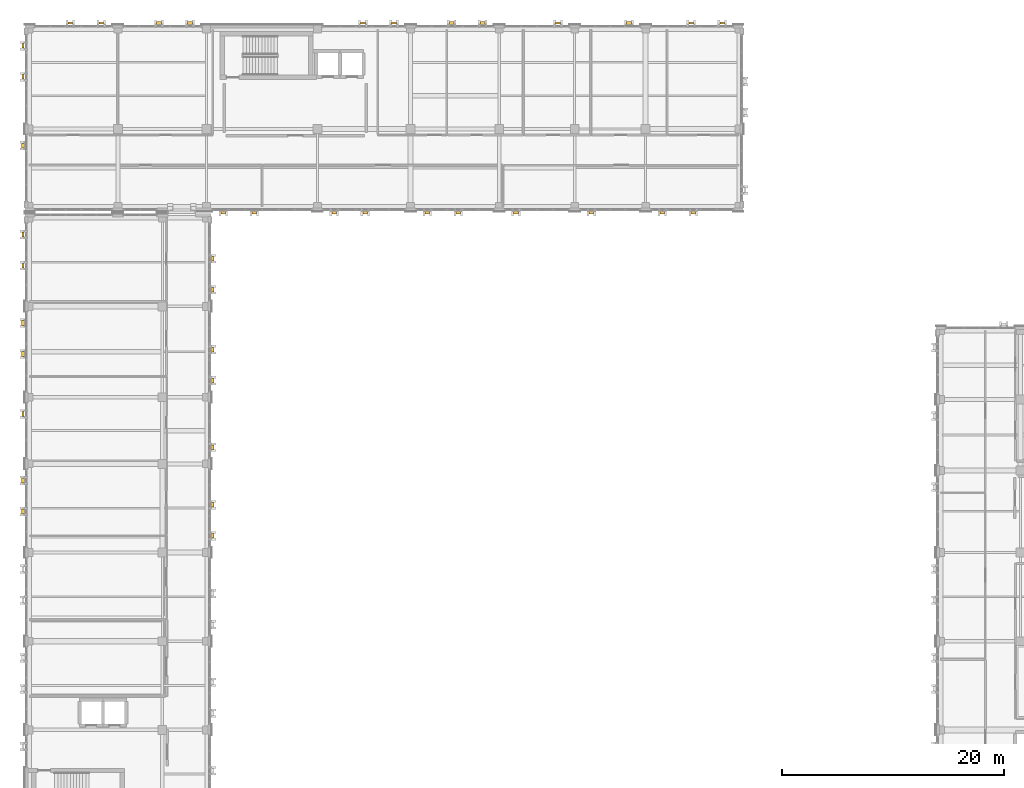
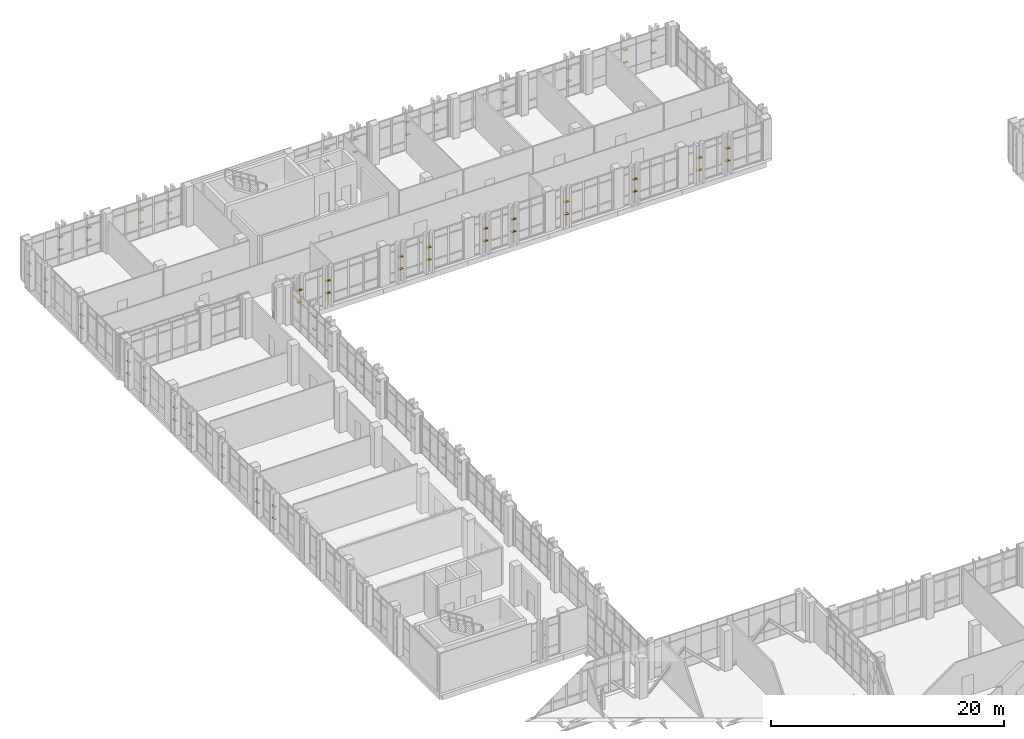
# One storey, part 164 of 165: 78 shading devices.
"""IFC4 building model written with IfcOpenShell, lengths in metres."""

from ifc_helpers import new_model, si_unit, direction, frame, origin, origin_2d, place, context, subcontext, project, spatial, rectangle, extrude, material, type_object, element, save


model = new_model("IFC4")

# Units and contexts
model_context = context("Model", 3, precision=1e-05, world=origin(), true_north=direction((0.0, 1.0)))
body_context = subcontext(model_context, "Body", "Model", "MODEL_VIEW")
ifc_project = project(units=[si_unit("LENGTHUNIT", "METRE"), si_unit("AREAUNIT", "SQUARE_METRE"), si_unit("VOLUMEUNIT", "CUBIC_METRE"), si_unit("PLANEANGLEUNIT", "RADIAN"), si_unit("MASSUNIT", "GRAM", prefix="KILO")], contexts=[model_context])

# Site, building, storey
site_placement = place(None, origin())
site = spatial("IfcSite", under=ifc_project, at=site_placement, CompositionType="ELEMENT")
building_placement = place(site_placement, origin())
building = spatial("IfcBuilding", under=site, at=building_placement, Name="Qalavern Law Courts", CompositionType="ELEMENT")
storey_placement = place(building_placement, frame((0.0, 0.0, 14.39990234375)))
storey = spatial("IfcBuildingStorey", under=building, at=storey_placement, Name="L03", CompositionType="ELEMENT", Elevation=14.39990234375)

# Shading devices
ifc_material = material(Name="Anodised aluminium", Category="aluminium")
shading_device_type_1 = type_object("IfcShadingDeviceType", Name="ENV-LOUV-1", PredefinedType="JALOUSIE", material=ifc_material)
for number, where, z_axis, x_axis, name in (
    (1, (18.96240234375, 74.89990234375, 1.342041015625), (0.0, 0.0, 1.0), (0.0, 1.0, 0.0), "Horizontal sun louvre V3-L03-0-1"),
    (2, (18.96240234375, 74.89990234375, 2.6357421875), (0.0, 0.0, 1.0), (0.0, 1.0, 0.0), "Horizontal sun louvre V3-L03-0-2"),
    (3, (18.96240234375, 89.10009765625, 1.342041015625), (0.0, 0.0, 1.0), (0.0, 1.0, 0.0), "Horizontal sun louvre V3-L03-0-1"),
    (4, (18.96240234375, 89.10009765625, 2.6357421875), (0.0, 0.0, 1.0), (0.0, 1.0, 0.0), "Horizontal sun louvre V3-L03-0-2"),
    (5, (18.96240234375, 91.89990234375, 1.342041015625), (0.0, 0.0, 1.0), (0.0, 1.0, 0.0), "Horizontal sun louvre V3-L03-1-1"),
    (6, (18.96240234375, 91.89990234375, 2.6357421875), (0.0, 0.0, 1.0), (0.0, 1.0, 0.0), "Horizontal sun louvre V3-L03-1-2"),
    (7, (1.83740234375, 94.080078125, 1.342041015625), (0.0, 0.0, 1.0), (0.0, -1.0, 0.0), "Horizontal sun louvre V3-L03-0-1"),
    (8, (1.83740234375, 94.080078125, 2.6357421875), (0.0, 0.0, 1.0), (0.0, -1.0, 0.0), "Horizontal sun louvre V3-L03-0-2"),
    (9, (1.83740234375, 91.280029296875, 1.342041015625), (0.0, 0.0, 1.0), (0.0, -1.0, 0.0), "Horizontal sun louvre V3-L03-1-1"),
    (10, (1.83740234375, 91.280029296875, 2.6357421875), (0.0, 0.0, 1.0), (0.0, -1.0, 0.0), "Horizontal sun louvre V3-L03-1-2"),
    (11, (1.83740234375, 77.89990234375, 1.342041015625), (0.0, 0.0, 1.0), (0.0, -1.0, 0.0), "Horizontal sun louvre V3-L03-0-1"),
    (12, (1.83740234375, 77.89990234375, 2.6357421875), (0.0, 0.0, 1.0), (0.0, -1.0, 0.0), "Horizontal sun louvre V3-L03-0-2"),
    (13, (19.89990234375, 96.03759765625, 1.342041015625), (0.0, 0.0, 1.0), (1.0, 0.0, 0.0), "Horizontal sun louvre V5-L03-0-1"),
    (14, (19.89990234375, 96.03759765625, 2.6357421875), (0.0, 0.0, 1.0), (1.0, 0.0, 0.0), "Horizontal sun louvre V5-L03-0-2"),
    (15, (22.699951171875, 96.03759765625, 1.342041015625), (0.0, 0.0, 1.0), (1.0, 0.0, 0.0), "Horizontal sun louvre V5-L03-1-1"),
    (16, (22.699951171875, 96.03759765625, 2.6357421875), (0.0, 0.0, 1.0), (1.0, 0.0, 0.0), "Horizontal sun louvre V5-L03-1-2"),
    (17, (38.300048828125, 96.03759765625, 1.342041015625), (0.0, 0.0, 1.0), (1.0, 0.0, 0.0), "Horizontal sun louvre V5-L03-0-1"),
    (18, (38.300048828125, 96.03759765625, 2.6357421875), (0.0, 0.0, 1.0), (1.0, 0.0, 0.0), "Horizontal sun louvre V5-L03-0-2"),
    (19, (41.10009765625, 96.03759765625, 1.342041015625), (0.0, 0.0, 1.0), (1.0, 0.0, 0.0), "Horizontal sun louvre V5-L03-1-1"),
    (20, (41.10009765625, 96.03759765625, 2.6357421875), (0.0, 0.0, 1.0), (1.0, 0.0, 0.0), "Horizontal sun louvre V5-L03-1-2"),
    (21, (53.10009765625, 96.03759765625, 1.342041015625), (0.0, 0.0, 1.0), (1.0, 0.0, 0.0), "Horizontal sun louvre V5-L03-0-1"),
    (22, (53.10009765625, 96.03759765625, 2.6357421875), (0.0, 0.0, 1.0), (1.0, 0.0, 0.0), "Horizontal sun louvre V5-L03-0-2"),
    (23, (64.89990234375, 113.16259765625, 1.342041015625), (0.0, 0.0, 1.0), (-1.0, 0.0, 0.0), "Horizontal sun louvre V5-L03-0-1"),
    (24, (64.89990234375, 113.16259765625, 2.6357421875), (0.0, 0.0, 1.0), (-1.0, 0.0, 0.0), "Horizontal sun louvre V5-L03-0-2"),
    (25, (62.10009765625, 113.16259765625, 1.342041015625), (0.0, 0.0, 1.0), (-1.0, 0.0, 0.0), "Horizontal sun louvre V5-L03-1-1"),
    (26, (62.10009765625, 113.16259765625, 2.6357421875), (0.0, 0.0, 1.0), (-1.0, 0.0, 0.0), "Horizontal sun louvre V5-L03-1-2"),
    (27, (50.10009765625, 113.16259765625, 1.342041015625), (0.0, 0.0, 1.0), (-1.0, 0.0, 0.0), "Horizontal sun louvre V5-L03-0-1"),
    (28, (50.10009765625, 113.16259765625, 2.6357421875), (0.0, 0.0, 1.0), (-1.0, 0.0, 0.0), "Horizontal sun louvre V5-L03-0-2"),
    (29, (35.300048828125, 113.16259765625, 1.342041015625), (0.0, 0.0, 1.0), (-1.0, 0.0, 0.0), "Horizontal sun louvre V5-L03-0-1"),
    (30, (35.300048828125, 113.16259765625, 2.6357421875), (0.0, 0.0, 1.0), (-1.0, 0.0, 0.0), "Horizontal sun louvre V5-L03-0-2"),
    (31, (32.5, 113.16259765625, 1.342041015625), (0.0, 0.0, 1.0), (-1.0, 0.0, 0.0), "Horizontal sun louvre V5-L03-1-1"),
    (32, (32.5, 113.16259765625, 2.6357421875), (0.0, 0.0, 1.0), (-1.0, 0.0, 0.0), "Horizontal sun louvre V5-L03-1-2"),
    (33, (8.89990234375, 113.16259765625, 1.342041015625), (0.0, 0.0, 1.0), (-1.0, 0.0, 0.0), "Horizontal sun louvre V5-L03-0-1"),
    (34, (8.89990234375, 113.16259765625, 2.6357421875), (0.0, 0.0, 1.0), (-1.0, 0.0, 0.0), "Horizontal sun louvre V5-L03-0-2"),
    (35, (6.10009765625, 113.16259765625, 1.342041015625), (0.0, 0.0, 1.0), (-1.0, 0.0, 0.0), "Horizontal sun louvre V5-L03-1-1"),
    (36, (6.10009765625, 113.16259765625, 2.6357421875), (0.0, 0.0, 1.0), (-1.0, 0.0, 0.0), "Horizontal sun louvre V5-L03-1-2"),
    (37, (1.83740234375, 111.10009765625, 1.342041015625), (0.0, 0.0, 1.0), (0.0, -1.0, 0.0), "Horizontal sun louvre V5-L03-0-1"),
    (38, (1.83740234375, 111.10009765625, 2.6357421875), (0.0, 0.0, 1.0), (0.0, -1.0, 0.0), "Horizontal sun louvre V5-L03-0-2"),
    (39, (1.83740234375, 108.300048828125, 1.342041015625), (0.0, 0.0, 1.0), (0.0, -1.0, 0.0), "Horizontal sun louvre V5-L03-1-1"),
    (40, (1.83740234375, 108.300048828125, 2.6357421875), (0.0, 0.0, 1.0), (0.0, -1.0, 0.0), "Horizontal sun louvre V5-L03-1-2"),
):
    element("IfcShadingDevice", number, at=place(storey_placement, frame(where, z_axis=z_axis, x_axis=x_axis)), inside=storey, type_object=shading_device_type_1, Name=name, PredefinedType="JALOUSIE", context=body_context, shape_type="SweptSolid", body=[
        extrude(rectangle(XDim=0.419921875, YDim=0.2099609375, at=origin_2d()), origin(), (0.0, 0.0, 1.0), 0.06005859375),
    ])
shading_device_type_2 = type_object("IfcShadingDeviceType", Name="ENV-LOUV-2", PredefinedType="JALOUSIE", material=ifc_material)
for number, where, z_axis, x_axis, name in (
    (41, (18.96240234375, 66.89990234375, 1.342041015625), (0.0, 0.0, 1.0), (0.0, 1.0, 0.0), "Horizontal sun louvre V3-L03-0-1"),
    (42, (18.96240234375, 66.89990234375, 2.6357421875), (0.0, 0.0, 1.0), (0.0, 1.0, 0.0), "Horizontal sun louvre V3-L03-0-2"),
    (43, (18.96240234375, 69.699951171875, 1.342041015625), (0.0, 0.0, 1.0), (0.0, 1.0, 0.0), "Horizontal sun louvre V3-L03-1-1"),
    (44, (18.96240234375, 69.699951171875, 2.6357421875), (0.0, 0.0, 1.0), (0.0, 1.0, 0.0), "Horizontal sun louvre V3-L03-1-2"),
    (45, (18.96240234375, 80.89990234375, 1.342041015625), (0.0, 0.0, 1.0), (0.0, 1.0, 0.0), "Horizontal sun louvre V3-L03-0-1"),
    (46, (18.96240234375, 80.89990234375, 2.6357421875), (0.0, 0.0, 1.0), (0.0, 1.0, 0.0), "Horizontal sun louvre V3-L03-0-2"),
    (47, (18.96240234375, 83.699951171875, 1.342041015625), (0.0, 0.0, 1.0), (0.0, 1.0, 0.0), "Horizontal sun louvre V3-L03-1-1"),
    (48, (18.96240234375, 83.699951171875, 2.6357421875), (0.0, 0.0, 1.0), (0.0, 1.0, 0.0), "Horizontal sun louvre V3-L03-1-2"),
    (49, (1.83740234375, 86.10009765625, 1.342041015625), (0.0, 0.0, 1.0), (0.0, -1.0, 0.0), "Horizontal sun louvre V3-L03-0-1"),
    (50, (1.83740234375, 86.10009765625, 2.6357421875), (0.0, 0.0, 1.0), (0.0, -1.0, 0.0), "Horizontal sun louvre V3-L03-0-2"),
    (51, (1.83740234375, 83.300048828125, 1.342041015625), (0.0, 0.0, 1.0), (0.0, -1.0, 0.0), "Horizontal sun louvre V3-L03-1-1"),
    (52, (1.83740234375, 83.300048828125, 2.6357421875), (0.0, 0.0, 1.0), (0.0, -1.0, 0.0), "Horizontal sun louvre V3-L03-1-2"),
    (53, (1.83740234375, 71.89990234375, 1.342041015625), (0.0, 0.0, 1.0), (0.0, -1.0, 0.0), "Horizontal sun louvre V3-L03-0-1"),
    (54, (1.83740234375, 71.89990234375, 2.6357421875), (0.0, 0.0, 1.0), (0.0, -1.0, 0.0), "Horizontal sun louvre V3-L03-0-2"),
    (55, (1.83740234375, 69.10009765625, 1.342041015625), (0.0, 0.0, 1.0), (0.0, -1.0, 0.0), "Horizontal sun louvre V3-L03-1-1"),
    (56, (1.83740234375, 69.10009765625, 2.6357421875), (0.0, 0.0, 1.0), (0.0, -1.0, 0.0), "Horizontal sun louvre V3-L03-1-2"),
    (57, (29.89990234375, 96.03759765625, 1.342041015625), (0.0, 0.0, 1.0), (1.0, 0.0, 0.0), "Horizontal sun louvre V5-L03-0-1"),
    (58, (29.89990234375, 96.03759765625, 2.6357421875), (0.0, 0.0, 1.0), (1.0, 0.0, 0.0), "Horizontal sun louvre V5-L03-0-2"),
    (59, (32.699951171875, 96.03759765625, 1.342041015625), (0.0, 0.0, 1.0), (1.0, 0.0, 0.0), "Horizontal sun louvre V5-L03-1-1"),
    (60, (32.699951171875, 96.03759765625, 2.6357421875), (0.0, 0.0, 1.0), (1.0, 0.0, 0.0), "Horizontal sun louvre V5-L03-1-2"),
    (61, (46.300048828125, 96.03759765625, 1.342041015625), (0.0, 0.0, 1.0), (1.0, 0.0, 0.0), "Horizontal sun louvre V5-L03-0-1"),
    (62, (46.300048828125, 96.03759765625, 2.6357421875), (0.0, 0.0, 1.0), (1.0, 0.0, 0.0), "Horizontal sun louvre V5-L03-0-2"),
    (63, (59.5, 96.03759765625, 1.342041015625), (0.0, 0.0, 1.0), (1.0, 0.0, 0.0), "Horizontal sun louvre V5-L03-0-1"),
    (64, (59.5, 96.03759765625, 2.6357421875), (0.0, 0.0, 1.0), (1.0, 0.0, 0.0), "Horizontal sun louvre V5-L03-0-2"),
    (65, (62.300048828125, 96.03759765625, 1.342041015625), (0.0, 0.0, 1.0), (1.0, 0.0, 0.0), "Horizontal sun louvre V5-L03-1-1"),
    (66, (62.300048828125, 96.03759765625, 2.6357421875), (0.0, 0.0, 1.0), (1.0, 0.0, 0.0), "Horizontal sun louvre V5-L03-1-2"),
    (67, (56.5, 113.16259765625, 1.342041015625), (0.0, 0.0, 1.0), (-1.0, 0.0, 0.0), "Horizontal sun louvre V5-L03-0-1"),
    (68, (56.5, 113.16259765625, 2.6357421875), (0.0, 0.0, 1.0), (-1.0, 0.0, 0.0), "Horizontal sun louvre V5-L03-0-2"),
    (69, (43.300048828125, 113.16259765625, 1.342041015625), (0.0, 0.0, 1.0), (-1.0, 0.0, 0.0), "Horizontal sun louvre V5-L03-0-1"),
    (70, (43.300048828125, 113.16259765625, 2.6357421875), (0.0, 0.0, 1.0), (-1.0, 0.0, 0.0), "Horizontal sun louvre V5-L03-0-2"),
    (71, (40.5, 113.16259765625, 1.342041015625), (0.0, 0.0, 1.0), (-1.0, 0.0, 0.0), "Horizontal sun louvre V5-L03-1-1"),
    (72, (40.5, 113.16259765625, 2.6357421875), (0.0, 0.0, 1.0), (-1.0, 0.0, 0.0), "Horizontal sun louvre V5-L03-1-2"),
    (73, (16.89990234375, 113.16259765625, 1.342041015625), (0.0, 0.0, 1.0), (-1.0, 0.0, 0.0), "Horizontal sun louvre V5-L03-0-1"),
    (74, (16.89990234375, 113.16259765625, 2.6357421875), (0.0, 0.0, 1.0), (-1.0, 0.0, 0.0), "Horizontal sun louvre V5-L03-0-2"),
    (75, (14.10009765625, 113.16259765625, 1.342041015625), (0.0, 0.0, 1.0), (-1.0, 0.0, 0.0), "Horizontal sun louvre V5-L03-1-1"),
    (76, (14.10009765625, 113.16259765625, 2.6357421875), (0.0, 0.0, 1.0), (-1.0, 0.0, 0.0), "Horizontal sun louvre V5-L03-1-2"),
    (77, (1.83740234375, 102.10009765625, 1.342041015625), (0.0, 0.0, 1.0), (0.0, -1.0, 0.0), "Horizontal sun louvre V5-L03-0-1"),
    (78, (1.83740234375, 102.10009765625, 2.6357421875), (0.0, 0.0, 1.0), (0.0, -1.0, 0.0), "Horizontal sun louvre V5-L03-0-2"),
):
    element("IfcShadingDevice", number, at=place(storey_placement, frame(where, z_axis=z_axis, x_axis=x_axis)), inside=storey, type_object=shading_device_type_2, Name=name, PredefinedType="JALOUSIE", context=body_context, shape_type="SweptSolid", body=[
        extrude(rectangle(XDim=0.419921875, YDim=0.25, at=origin_2d()), origin(), (0.0, 0.0, 1.0), 0.06005859375),
    ])

save(model, "model.ifc")
